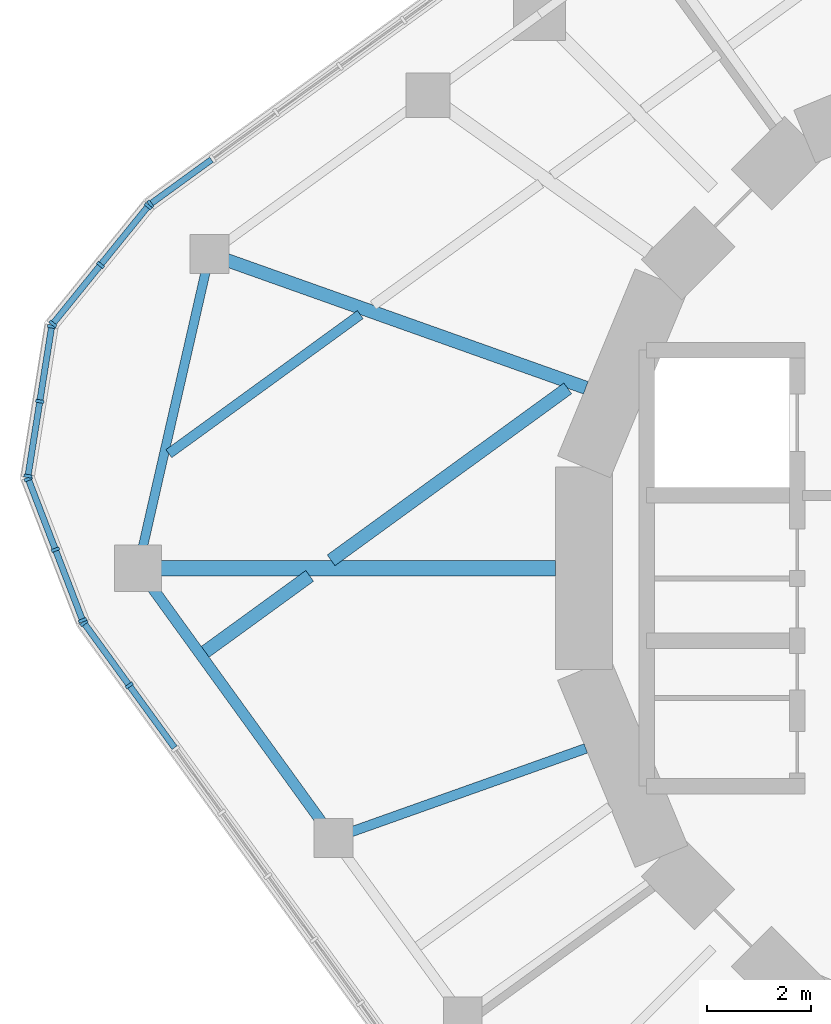
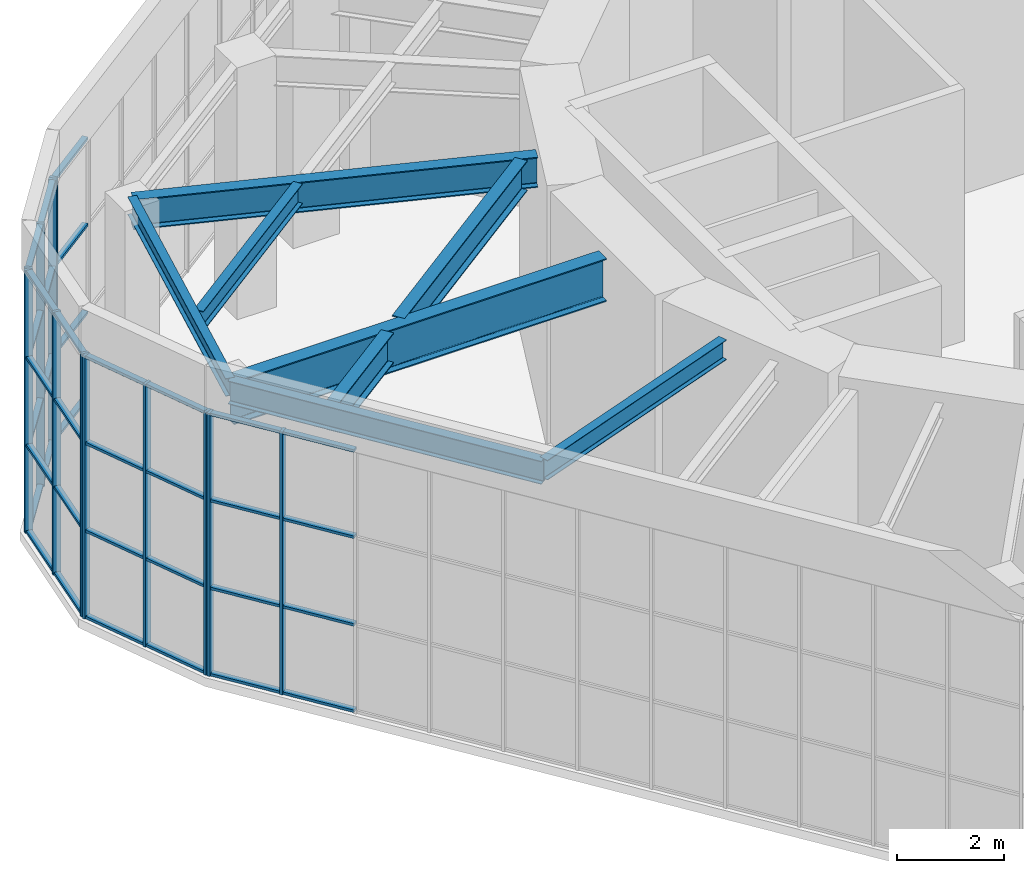
# One storey, part 5 of 17: 48 members, 8 beams, 5 elements without a shape of their own.
"""IFC4 building model written with IfcOpenShell, lengths in metres."""

from ifc_helpers import new_model, si_unit, direction, frame, origin, origin_2d, place, context, subcontext, project, spatial, rectangle, i_section, extrude, material, material_profile, profile_set, type_object, element, aggregate, save


model = new_model("IFC4")

# Units and contexts
model_context = context("Model", 3, precision=1e-05, world=origin(), true_north=direction((0.0, 1.0)))
body_context = subcontext(model_context, "Body", "Model", "MODEL_VIEW")
ifc_project = project(units=[si_unit("LENGTHUNIT", "METRE"), si_unit("AREAUNIT", "SQUARE_METRE"), si_unit("VOLUMEUNIT", "CUBIC_METRE"), si_unit("PLANEANGLEUNIT", "RADIAN"), si_unit("MASSUNIT", "GRAM", prefix="KILO")], contexts=[model_context])

# Site, building, storey
site_placement = place(None, origin())
site = spatial("IfcSite", under=ifc_project, at=site_placement, CompositionType="ELEMENT")
building_placement = place(site_placement, origin())
building = spatial("IfcBuilding", under=site, at=building_placement, Name="Nakasero Lantern House", CompositionType="ELEMENT")
storey_placement = place(building_placement, frame((0.0, 0.0, 304.39990234375)))
storey = spatial("IfcBuildingStorey", under=building, at=storey_placement, Name="L74", CompositionType="ELEMENT", Elevation=304.39990234375)

# Beams
ifc_material_1 = material(Name="Steel S355", Category="steel")
ifc_material_profile_1 = material_profile(ifc_material_1, i_section(OverallWidth=0.19140625, OverallDepth=0.4599609375, WebThickness=0.010009765625, FlangeThickness=0.01611328125, FilletRadius=0.01025390625, at=origin_2d()), Name="UB 457x191x82")
ifc_profile_set_1 = profile_set([ifc_material_profile_1], Name="Steel S355")
beam_type_1 = type_object("IfcBeamType", Name="Infill beam UB 457x191x82", PredefinedType="JOIST", material=ifc_profile_set_1)
beam_1_placement = place(storey_placement, frame((-17.805908203125, 2.205078125, 5.52001953125), z_axis=(0.809009310944, 0.587795827483, 0.0), x_axis=(-0.587795827483, 0.809009310944, 0.0)))
element("IfcBeam", 1, at=beam_1_placement, inside=storey, type_object=beam_type_1, Name="Infill beam ROOF 10.1", PredefinedType="JOIST", context=body_context, shape_type="SweptSolid", body=[
    extrude(i_section(OverallWidth=0.19140625, OverallDepth=0.4599609375, WebThickness=0.010009765625, FlangeThickness=0.01611328125, FilletRadius=0.01025390625, at=origin_2d()), origin(), (0.0, 0.0, 1.0), 4.55810546875),
])
ifc_material_2 = material(Name="Steel S355", Category="steel")
ifc_material_profile_2 = material_profile(ifc_material_2, i_section(OverallWidth=0.255859375, OverallDepth=0.69287109375, WebThickness=0.014404296875, FlangeThickness=0.023681640625, FilletRadius=0.01513671875, at=origin_2d()), Name="UB 686x254x170")
ifc_profile_set_2 = profile_set([ifc_material_profile_2], Name="Steel S355")
beam_type_2 = type_object("IfcBeamType", Name="Infill beam UB 686x254x170", PredefinedType="JOIST", material=ifc_profile_set_2)
beam_2_placement = place(storey_placement, frame((-17.105224609375, -1.612060546875, 5.403564453125), z_axis=(0.809011863271, 0.587792314586, 0.0), x_axis=(-0.587792314586, 0.809011863271, 0.0)))
element("IfcBeam", 2, at=beam_2_placement, inside=storey, type_object=beam_type_2, Name="Infill beam ROOF 09.1", PredefinedType="JOIST", context=body_context, shape_type="SweptSolid", body=[
    extrude(i_section(OverallWidth=0.255859375, OverallDepth=0.69287109375, WebThickness=0.014404296875, FlangeThickness=0.023681640625, FilletRadius=0.01513671875, at=origin_2d()), origin(), (0.0, 0.0, 1.0), 2.487548828125),
])
beam_3_placement = place(storey_placement, frame((-14.679931640625, 0.14990234375, 5.403564453125), z_axis=(0.809015104462, 0.587787853526, 0.0), x_axis=(-0.587787853526, 0.809015104462, 0.0)))
element("IfcBeam", 3, at=beam_3_placement, inside=storey, type_object=beam_type_2, Name="Infill beam ROOF 09.2", PredefinedType="JOIST", context=body_context, shape_type="SweptSolid", body=[
    extrude(i_section(OverallWidth=0.255859375, OverallDepth=0.69287109375, WebThickness=0.014404296875, FlangeThickness=0.023681640625, FilletRadius=0.01513671875, at=origin_2d()), origin(), (0.0, 0.0, 1.0), 5.635986328125),
])

# Curtain wall, member
ifc_material_3 = material(Name="Aluminium 6063-T6 and glass", Category="aluminium")
curtain_wall_type = type_object("IfcCurtainWallType", Name="Lantern glazing CW-4", PredefinedType="USERDEFINED", material=ifc_material_3)
curtain_wall_1_placement = place(storey_placement, origin())
curtain_wall_1 = element("IfcCurtainWall", 4, at=curtain_wall_1_placement, inside=storey, type_object=curtain_wall_type, Name="Curtain wall CW-4 L74", ObjectType="UNITISED CURTAIN WALL", PredefinedType="USERDEFINED")
ifc_material_4 = material(Name="Aluminium 6063-T6", Category="aluminium")
ifc_material_profile_3 = material_profile(ifc_material_4, rectangle(XDim=0.06005859375, YDim=0.159912109375, at=origin_2d()), Name="CW-4 mullion 60x160")
ifc_profile_set_3 = profile_set([ifc_material_profile_3], Name="Aluminium 6063-T6")
member_type_1 = type_object("IfcMemberType", Name="Mullion CW-4", PredefinedType="MULLION", material=ifc_profile_set_3)
member_1_placement = place(storey_placement, frame((-18.16162109375, 7.0146484375, 0.0), z_axis=(0.0, 0.0, 1.0), x_axis=(-0.809016994375, -0.587785252292, 0.0)))
member_1 = element("IfcMember", 5, at=member_1_placement, type_object=member_type_1, Name="CW-4 mullion 15", PredefinedType="MULLION", context=body_context, shape_type="SweptSolid", body=[
    extrude(rectangle(XDim=0.06005859375, YDim=0.159912109375, at=origin_2d()), origin(), (0.0, 0.0, 1.0), 6.0),
])

# Curtain wall, members
curtain_wall_2_placement = place(storey_placement, origin())
curtain_wall_2 = element("IfcCurtainWall", 6, at=curtain_wall_2_placement, inside=storey, type_object=curtain_wall_type, Name="Curtain wall CW-4 L74", ObjectType="UNITISED CURTAIN WALL", PredefinedType="USERDEFINED")
member_2_placement = place(storey_placement, frame((-18.204833984375, 6.9736328125, 0.0), z_axis=(0.0, 0.0, 1.0), x_axis=(-0.62932039105, -0.777145961457, 0.0)))
member_2 = element("IfcMember", 7, at=member_2_placement, type_object=member_type_1, Name="CW-4 mullion 1", PredefinedType="MULLION", context=body_context, shape_type="SweptSolid", body=[
    extrude(rectangle(XDim=0.06005859375, YDim=0.159912109375, at=origin_2d()), origin(), (0.0, 0.0, 1.0), 6.0),
])
member_3_placement = place(storey_placement, frame((-19.122314453125, 5.84033203125, 0.0), z_axis=(0.0, 0.0, 1.0), x_axis=(-0.62932039105, -0.777145961457, 0.0)))
member_3 = element("IfcMember", 8, at=member_3_placement, type_object=member_type_1, Name="CW-4 mullion 2", PredefinedType="MULLION", context=body_context, shape_type="SweptSolid", body=[
    extrude(rectangle(XDim=0.06005859375, YDim=0.159912109375, at=origin_2d()), origin(), (0.0, 0.0, 1.0), 6.0),
])
member_4_placement = place(storey_placement, frame((-20.0400390625, 4.70703125, 0.0), z_axis=(0.0, 0.0, 1.0), x_axis=(-0.62932039105, -0.777145961457, 0.0)))
member_4 = element("IfcMember", 9, at=member_4_placement, type_object=member_type_1, Name="CW-4 mullion 3", PredefinedType="MULLION", context=body_context, shape_type="SweptSolid", body=[
    extrude(rectangle(XDim=0.06005859375, YDim=0.159912109375, at=origin_2d()), origin(), (0.0, 0.0, 1.0), 6.0),
])

curtain_wall_3_placement = place(storey_placement, origin())
curtain_wall_3 = element("IfcCurtainWall", 10, at=curtain_wall_3_placement, inside=storey, type_object=curtain_wall_type, Name="Curtain wall CW-4 L74", ObjectType="UNITISED CURTAIN WALL", PredefinedType="USERDEFINED")
member_5_placement = place(storey_placement, frame((-20.063720703125, 4.654052734375, 0.0), z_axis=(0.0, 0.0, 1.0), x_axis=(-0.15643446504, -0.987688340595, 0.0)))
member_5 = element("IfcMember", 11, at=member_5_placement, type_object=member_type_1, Name="CW-4 mullion 1", PredefinedType="MULLION", context=body_context, shape_type="SweptSolid", body=[
    extrude(rectangle(XDim=0.06005859375, YDim=0.159912109375, at=origin_2d()), origin(), (0.0, 0.0, 1.0), 6.0),
])
member_6_placement = place(storey_placement, frame((-20.291748046875, 3.2138671875, 0.0), z_axis=(0.0, 0.0, 1.0), x_axis=(-0.15643446504, -0.987688340595, 0.0)))
member_6 = element("IfcMember", 12, at=member_6_placement, type_object=member_type_1, Name="CW-4 mullion 2", PredefinedType="MULLION", context=body_context, shape_type="SweptSolid", body=[
    extrude(rectangle(XDim=0.06005859375, YDim=0.159912109375, at=origin_2d()), origin(), (0.0, 0.0, 1.0), 6.0),
])
member_7_placement = place(storey_placement, frame((-20.52001953125, 1.773681640625, 0.0), z_axis=(0.0, 0.0, 1.0), x_axis=(-0.15643446504, -0.987688340595, 0.0)))
member_7 = element("IfcMember", 13, at=member_7_placement, type_object=member_type_1, Name="CW-4 mullion 3", PredefinedType="MULLION", context=body_context, shape_type="SweptSolid", body=[
    extrude(rectangle(XDim=0.06005859375, YDim=0.159912109375, at=origin_2d()), origin(), (0.0, 0.0, 1.0), 6.0),
])

curtain_wall_4_placement = place(storey_placement, origin())
curtain_wall_4 = element("IfcCurtainWall", 14, at=curtain_wall_4_placement, inside=storey, type_object=curtain_wall_type, Name="Curtain wall CW-4 L74", ObjectType="UNITISED CURTAIN WALL", PredefinedType="USERDEFINED")
member_8_placement = place(storey_placement, frame((-20.513916015625, 1.716064453125, 0.0), z_axis=(0.0, 0.0, 1.0), x_axis=(0.358367949545, -0.933580426497, 0.0)))
member_8 = element("IfcMember", 15, at=member_8_placement, type_object=member_type_1, Name="CW-4 mullion 1", PredefinedType="MULLION", context=body_context, shape_type="SweptSolid", body=[
    extrude(rectangle(XDim=0.06005859375, YDim=0.159912109375, at=origin_2d()), origin(), (0.0, 0.0, 1.0), 6.0),
])
member_9_placement = place(storey_placement, frame((-19.9912109375, 0.354736328125, 0.0), z_axis=(0.0, 0.0, 1.0), x_axis=(0.358367949545, -0.933580426497, 0.0)))
member_9 = element("IfcMember", 16, at=member_9_placement, type_object=member_type_1, Name="CW-4 mullion 2", PredefinedType="MULLION", context=body_context, shape_type="SweptSolid", body=[
    extrude(rectangle(XDim=0.06005859375, YDim=0.159912109375, at=origin_2d()), origin(), (0.0, 0.0, 1.0), 6.0),
])
member_10_placement = place(storey_placement, frame((-19.46875, -1.006591796875, 0.0), z_axis=(0.0, 0.0, 1.0), x_axis=(0.358367949545, -0.933580426497, 0.0)))
member_10 = element("IfcMember", 17, at=member_10_placement, type_object=member_type_1, Name="CW-4 mullion 3", PredefinedType="MULLION", context=body_context, shape_type="SweptSolid", body=[
    extrude(rectangle(XDim=0.06005859375, YDim=0.159912109375, at=origin_2d()), origin(), (0.0, 0.0, 1.0), 6.0),
])

curtain_wall_5_placement = place(storey_placement, origin())
curtain_wall_5 = element("IfcCurtainWall", 18, at=curtain_wall_5_placement, inside=storey, type_object=curtain_wall_type, Name="Curtain wall CW-4 L74", ObjectType="UNITISED CURTAIN WALL", PredefinedType="USERDEFINED")
member_11_placement = place(storey_placement, frame((-19.4404296875, -1.05908203125, 0.0), z_axis=(0.0, 0.0, 1.0), x_axis=(0.587785252292, -0.809016994375, 0.0)))
member_11 = element("IfcMember", 19, at=member_11_placement, type_object=member_type_1, Name="CW-4 mullion 1", PredefinedType="MULLION", context=body_context, shape_type="SweptSolid", body=[
    extrude(rectangle(XDim=0.06005859375, YDim=0.159912109375, at=origin_2d()), origin(), (0.0, 0.0, 1.0), 6.0),
])
member_12_placement = place(storey_placement, frame((-18.56787109375, -2.259765625, 0.0), z_axis=(0.0, 0.0, 1.0), x_axis=(0.587785252292, -0.809016994375, 0.0)))
member_12 = element("IfcMember", 20, at=member_12_placement, type_object=member_type_1, Name="CW-4 mullion 2", PredefinedType="MULLION", context=body_context, shape_type="SweptSolid", body=[
    extrude(rectangle(XDim=0.06005859375, YDim=0.159912109375, at=origin_2d()), origin(), (0.0, 0.0, 1.0), 6.0),
])

# Beams
ifc_material_5 = material(Name="Steel S355", Category="steel")
ifc_material_profile_4 = material_profile(ifc_material_5, i_section(OverallWidth=0.300048828125, OverallDepth=0.97998046875, WebThickness=0.0166015625, FlangeThickness=0.02587890625, FilletRadius=0.030029296875, at=origin_2d()), Name="UB 1016x305x249")
ifc_profile_set_4 = profile_set([ifc_material_profile_4], Name="Steel S355")
beam_type_3 = type_object("IfcBeamType", Name="Primary beam UB 1016x305x249, span 6 to 9 m", PredefinedType="BEAM", material=ifc_profile_set_4)
beam_4_placement = place(storey_placement, frame((-18.39990234375, 0.0, 5.260009765625), z_axis=(1.0, 0.0, 0.0), x_axis=(0.0, 1.0, 0.0)))
element("IfcBeam", 21, at=beam_4_placement, inside=storey, type_object=beam_type_3, Name="Primary beam ROOF B7-C15", PredefinedType="BEAM", context=body_context, shape_type="SweptSolid", body=[
    extrude(i_section(OverallWidth=0.300048828125, OverallDepth=0.97998046875, WebThickness=0.0166015625, FlangeThickness=0.02587890625, FilletRadius=0.030029296875, at=origin_2d()), origin(), (0.0, 0.0, 1.0), 8.0419921875),
])
ifc_material_6 = material(Name="Steel S355", Category="steel")
ifc_material_profile_5 = material_profile(ifc_material_6, i_section(OverallWidth=0.18994140625, OverallDepth=0.453369140625, WebThickness=0.008544921875, FlangeThickness=0.0126953125, FilletRadius=0.01025390625, at=origin_2d()), Name="UB 457x191x67")
ifc_profile_set_5 = profile_set([ifc_material_profile_5], Name="Steel S355")
beam_type_4 = type_object("IfcBeamType", Name="Primary beam UB 457x191x67, span to 6 m", PredefinedType="BEAM", material=ifc_profile_set_5)
beam_5_placement = place(storey_placement, frame((-14.636474609375, -5.2041015625, 5.5234375), z_axis=(0.942221324153, 0.3349910093, 0.0), x_axis=(-0.3349910093, 0.942221324153, 0.0)))
element("IfcBeam", 22, at=beam_5_placement, inside=storey, type_object=beam_type_4, Name="Primary beam ROOF B7-C16", PredefinedType="BEAM", context=body_context, shape_type="SweptSolid", body=[
    extrude(i_section(OverallWidth=0.18994140625, OverallDepth=0.453369140625, WebThickness=0.008544921875, FlangeThickness=0.0126953125, FilletRadius=0.01025390625, at=origin_2d()), origin(), (0.0, 0.0, 1.0), 5.162841796875),
])
ifc_material_7 = material(Name="Steel S355", Category="steel")
ifc_material_profile_6 = material_profile(ifc_material_7, i_section(OverallWidth=0.255859375, OverallDepth=0.69287109375, WebThickness=0.014404296875, FlangeThickness=0.023681640625, FilletRadius=0.01513671875, at=origin_2d()), Name="UB 686x254x170")
ifc_profile_set_6 = profile_set([ifc_material_profile_6], Name="Steel S355")
beam_type_5 = type_object("IfcBeamType", Name="Primary beam UB 686x254x170, span 6 to 9 m", PredefinedType="BEAM", material=ifc_profile_set_6)
beam_6_placement = place(storey_placement, frame((-17.02001953125, 6.051513671875, 5.403564453125), z_axis=(0.942222036561, -0.334989005521, 0.0), x_axis=(0.334989005521, 0.942222036561, 0.0)))
element("IfcBeam", 23, at=beam_6_placement, inside=storey, type_object=beam_type_5, Name="Primary beam ROOF B7-C14", PredefinedType="BEAM", context=body_context, shape_type="SweptSolid", body=[
    extrude(i_section(OverallWidth=0.255859375, OverallDepth=0.69287109375, WebThickness=0.014404296875, FlangeThickness=0.023681640625, FilletRadius=0.01513671875, at=origin_2d()), origin(), (0.0, 0.0, 1.0), 7.6923828125),
])
ifc_material_8 = material(Name="Steel S355", Category="steel")
ifc_material_profile_7 = material_profile(ifc_material_8, i_section(OverallWidth=0.177978515625, OverallDepth=0.406494140625, WebThickness=0.0078125, FlangeThickness=0.0126953125, FilletRadius=0.01025390625, at=origin_2d()), Name="UB 406x178x60")
ifc_profile_set_7 = profile_set([ifc_material_profile_7], Name="Steel S355")
beam_type_6 = type_object("IfcBeamType", Name="Ring beam UB 406x178x60", PredefinedType="BEAM", material=ifc_profile_set_7)
beam_7_placement = place(storey_placement, frame((-17.02001953125, 6.051513671875, 5.546875), z_axis=(-0.222316387753, -0.974974575944, 0.0), x_axis=(0.974974575944, -0.222316387753, 0.0)))
element("IfcBeam", 24, at=beam_7_placement, inside=storey, type_object=beam_type_6, Name="Ring beam ROOF B7-C14", PredefinedType="BEAM", context=body_context, shape_type="SweptSolid", body=[
    extrude(i_section(OverallWidth=0.177978515625, OverallDepth=0.406494140625, WebThickness=0.0078125, FlangeThickness=0.0126953125, FilletRadius=0.01025390625, at=origin_2d()), origin(), (0.0, 0.0, 1.0), 6.206787109375),
])
ifc_material_9 = material(Name="Steel S355", Category="steel")
ifc_material_profile_8 = material_profile(ifc_material_9, i_section(OverallWidth=0.208740234375, OverallDepth=0.5283203125, WebThickness=0.009521484375, FlangeThickness=0.01318359375, FilletRadius=0.0126953125, at=origin_2d()), Name="UB 533x210x82")
ifc_profile_set_8 = profile_set([ifc_material_profile_8], Name="Steel S355")
beam_type_7 = type_object("IfcBeamType", Name="Ring beam UB 533x210x82", PredefinedType="BEAM", material=ifc_profile_set_8)
beam_8_placement = place(storey_placement, frame((-18.39990234375, 0.0, 5.48583984375), z_axis=(0.58599287996, -0.810316200404, 0.0), x_axis=(0.810316200404, 0.58599287996, 0.0)))
element("IfcBeam", 25, at=beam_8_placement, inside=storey, type_object=beam_type_7, Name="Ring beam ROOF B7-C15", PredefinedType="BEAM", context=body_context, shape_type="SweptSolid", body=[
    extrude(i_section(OverallWidth=0.208740234375, OverallDepth=0.5283203125, WebThickness=0.009521484375, FlangeThickness=0.01318359375, FilletRadius=0.0126953125, at=origin_2d()), origin(), (0.0, 0.0, 1.0), 6.42236328125),
])

# Member
ifc_material_10 = material(Name="Aluminium 6063-T6", Category="aluminium")
ifc_material_profile_9 = material_profile(ifc_material_10, rectangle(XDim=0.06005859375, YDim=0.1201171875, at=origin_2d()), Name="CW-4 transom 60x120")
ifc_profile_set_9 = profile_set([ifc_material_profile_9], Name="Aluminium 6063-T6")
member_type_2 = type_object("IfcMemberType", Name="Transom CW-4", PredefinedType="USERDEFINED", material=ifc_profile_set_9)
member_13_placement = place(storey_placement, frame((-16.985107421875, 7.869384765625, 0.030029296875), z_axis=(-0.808980650343, -0.587835272309, 0.0), x_axis=(0.0, 0.0, 1.0)))
member_13 = element("IfcMember", 26, at=member_13_placement, type_object=member_type_2, Name="CW-4 transom 14.1", ObjectType="TRANSOM", PredefinedType="USERDEFINED", context=body_context, shape_type="SweptSolid", body=[
    extrude(rectangle(XDim=0.06005859375, YDim=0.1201171875, at=origin_2d()), origin(), (0.0, 0.0, 1.0), 1.424072265625),
])

member_14_placement = place(storey_placement, frame((-16.985107421875, 7.869384765625, 2.0), z_axis=(-0.808980650343, -0.587835272309, 0.0), x_axis=(0.0, 0.0, 1.0)))
member_14 = element("IfcMember", 27, at=member_14_placement, type_object=member_type_2, Name="CW-4 transom 14.2", ObjectType="TRANSOM", PredefinedType="USERDEFINED", context=body_context, shape_type="SweptSolid", body=[
    extrude(rectangle(XDim=0.06005859375, YDim=0.1201171875, at=origin_2d()), origin(), (0.0, 0.0, 1.0), 1.424072265625),
])

member_15_placement = place(storey_placement, frame((-16.985107421875, 7.869384765625, 4.0), z_axis=(-0.808980650343, -0.587835272309, 0.0), x_axis=(0.0, 0.0, 1.0)))
member_15 = element("IfcMember", 28, at=member_15_placement, type_object=member_type_2, Name="CW-4 transom 14.3", ObjectType="TRANSOM", PredefinedType="USERDEFINED", context=body_context, shape_type="SweptSolid", body=[
    extrude(rectangle(XDim=0.06005859375, YDim=0.1201171875, at=origin_2d()), origin(), (0.0, 0.0, 1.0), 1.424072265625),
])

member_16_placement = place(storey_placement, frame((-16.985107421875, 7.869384765625, 5.97021484375), z_axis=(-0.808980650343, -0.587835272309, 0.0), x_axis=(0.0, 0.0, 1.0)))
member_16 = element("IfcMember", 29, at=member_16_placement, type_object=member_type_2, Name="CW-4 transom 14.4", ObjectType="TRANSOM", PredefinedType="USERDEFINED", context=body_context, shape_type="SweptSolid", body=[
    extrude(rectangle(XDim=0.06005859375, YDim=0.1201171875, at=origin_2d()), origin(), (0.0, 0.0, 1.0), 1.424072265625),
])

aggregate(curtain_wall_1, [member_1, member_13, member_14, member_15, member_16])

member_17_placement = place(storey_placement, frame((-18.2236328125, 6.9501953125, 0.030029296875), z_axis=(-0.629369016646, -0.777106582707, 0.0), x_axis=(0.0, 0.0, 1.0)))
member_17 = element("IfcMember", 30, at=member_17_placement, type_object=member_type_2, Name="CW-4 transom 1.1", ObjectType="TRANSOM", PredefinedType="USERDEFINED", context=body_context, shape_type="SweptSolid", body=[
    extrude(rectangle(XDim=0.06005859375, YDim=0.1201171875, at=origin_2d()), origin(), (0.0, 0.0, 1.0), 1.39794921875),
])

member_18_placement = place(storey_placement, frame((-18.2236328125, 6.9501953125, 2.0), z_axis=(-0.629369016646, -0.777106582707, 0.0), x_axis=(0.0, 0.0, 1.0)))
member_18 = element("IfcMember", 31, at=member_18_placement, type_object=member_type_2, Name="CW-4 transom 1.2", ObjectType="TRANSOM", PredefinedType="USERDEFINED", context=body_context, shape_type="SweptSolid", body=[
    extrude(rectangle(XDim=0.06005859375, YDim=0.1201171875, at=origin_2d()), origin(), (0.0, 0.0, 1.0), 1.39794921875),
])

member_19_placement = place(storey_placement, frame((-18.2236328125, 6.9501953125, 4.0), z_axis=(-0.629369016646, -0.777106582707, 0.0), x_axis=(0.0, 0.0, 1.0)))
member_19 = element("IfcMember", 32, at=member_19_placement, type_object=member_type_2, Name="CW-4 transom 1.3", ObjectType="TRANSOM", PredefinedType="USERDEFINED", context=body_context, shape_type="SweptSolid", body=[
    extrude(rectangle(XDim=0.06005859375, YDim=0.1201171875, at=origin_2d()), origin(), (0.0, 0.0, 1.0), 1.39794921875),
])

member_20_placement = place(storey_placement, frame((-18.2236328125, 6.9501953125, 5.97021484375), z_axis=(-0.629369016646, -0.777106582707, 0.0), x_axis=(0.0, 0.0, 1.0)))
member_20 = element("IfcMember", 33, at=member_20_placement, type_object=member_type_2, Name="CW-4 transom 1.4", ObjectType="TRANSOM", PredefinedType="USERDEFINED", context=body_context, shape_type="SweptSolid", body=[
    extrude(rectangle(XDim=0.06005859375, YDim=0.1201171875, at=origin_2d()), origin(), (0.0, 0.0, 1.0), 1.39794921875),
])

member_21_placement = place(storey_placement, frame((-19.141357421875, 5.817138671875, 0.030029296875), z_axis=(-0.629283614868, -0.777175740781, 0.0), x_axis=(0.0, 0.0, 1.0)))
member_21 = element("IfcMember", 34, at=member_21_placement, type_object=member_type_2, Name="CW-4 transom 2.1", ObjectType="TRANSOM", PredefinedType="USERDEFINED", context=body_context, shape_type="SweptSolid", body=[
    extrude(rectangle(XDim=0.06005859375, YDim=0.1201171875, at=origin_2d()), origin(), (0.0, 0.0, 1.0), 1.398193359375),
])

member_22_placement = place(storey_placement, frame((-19.141357421875, 5.817138671875, 2.0), z_axis=(-0.629283614868, -0.777175740781, 0.0), x_axis=(0.0, 0.0, 1.0)))
member_22 = element("IfcMember", 35, at=member_22_placement, type_object=member_type_2, Name="CW-4 transom 2.2", ObjectType="TRANSOM", PredefinedType="USERDEFINED", context=body_context, shape_type="SweptSolid", body=[
    extrude(rectangle(XDim=0.06005859375, YDim=0.1201171875, at=origin_2d()), origin(), (0.0, 0.0, 1.0), 1.398193359375),
])

member_23_placement = place(storey_placement, frame((-19.141357421875, 5.817138671875, 4.0), z_axis=(-0.629283614868, -0.777175740781, 0.0), x_axis=(0.0, 0.0, 1.0)))
member_23 = element("IfcMember", 36, at=member_23_placement, type_object=member_type_2, Name="CW-4 transom 2.3", ObjectType="TRANSOM", PredefinedType="USERDEFINED", context=body_context, shape_type="SweptSolid", body=[
    extrude(rectangle(XDim=0.06005859375, YDim=0.1201171875, at=origin_2d()), origin(), (0.0, 0.0, 1.0), 1.398193359375),
])

member_24_placement = place(storey_placement, frame((-19.141357421875, 5.817138671875, 5.97021484375), z_axis=(-0.629283614868, -0.777175740781, 0.0), x_axis=(0.0, 0.0, 1.0)))
member_24 = element("IfcMember", 37, at=member_24_placement, type_object=member_type_2, Name="CW-4 transom 2.4", ObjectType="TRANSOM", PredefinedType="USERDEFINED", context=body_context, shape_type="SweptSolid", body=[
    extrude(rectangle(XDim=0.06005859375, YDim=0.1201171875, at=origin_2d()), origin(), (0.0, 0.0, 1.0), 1.398193359375),
])

aggregate(curtain_wall_2, [member_2, member_3, member_4, member_17, member_18, member_19, member_20, member_21, member_22, member_23, member_24])

member_25_placement = place(storey_placement, frame((-20.068359375, 4.62451171875, 0.030029296875), z_axis=(-0.156464720495, -0.987683548127, 0.0), x_axis=(0.0, 0.0, 1.0)))
member_25 = element("IfcMember", 38, at=member_25_placement, type_object=member_type_2, Name="CW-4 transom 1.1", ObjectType="TRANSOM", PredefinedType="USERDEFINED", context=body_context, shape_type="SweptSolid", body=[
    extrude(rectangle(XDim=0.06005859375, YDim=0.1201171875, at=origin_2d()), origin(), (0.0, 0.0, 1.0), 1.398193359375),
])

member_26_placement = place(storey_placement, frame((-20.068359375, 4.62451171875, 2.0), z_axis=(-0.156464720495, -0.987683548127, 0.0), x_axis=(0.0, 0.0, 1.0)))
member_26 = element("IfcMember", 39, at=member_26_placement, type_object=member_type_2, Name="CW-4 transom 1.2", ObjectType="TRANSOM", PredefinedType="USERDEFINED", context=body_context, shape_type="SweptSolid", body=[
    extrude(rectangle(XDim=0.06005859375, YDim=0.1201171875, at=origin_2d()), origin(), (0.0, 0.0, 1.0), 1.398193359375),
])

member_27_placement = place(storey_placement, frame((-20.068359375, 4.62451171875, 4.0), z_axis=(-0.156464720495, -0.987683548127, 0.0), x_axis=(0.0, 0.0, 1.0)))
member_27 = element("IfcMember", 40, at=member_27_placement, type_object=member_type_2, Name="CW-4 transom 1.3", ObjectType="TRANSOM", PredefinedType="USERDEFINED", context=body_context, shape_type="SweptSolid", body=[
    extrude(rectangle(XDim=0.06005859375, YDim=0.1201171875, at=origin_2d()), origin(), (0.0, 0.0, 1.0), 1.398193359375),
])

member_28_placement = place(storey_placement, frame((-20.068359375, 4.62451171875, 5.97021484375), z_axis=(-0.156464720495, -0.987683548127, 0.0), x_axis=(0.0, 0.0, 1.0)))
member_28 = element("IfcMember", 41, at=member_28_placement, type_object=member_type_2, Name="CW-4 transom 1.4", ObjectType="TRANSOM", PredefinedType="USERDEFINED", context=body_context, shape_type="SweptSolid", body=[
    extrude(rectangle(XDim=0.06005859375, YDim=0.1201171875, at=origin_2d()), origin(), (0.0, 0.0, 1.0), 1.398193359375),
])

member_29_placement = place(storey_placement, frame((-20.29638671875, 3.184326171875, 0.030029296875), z_axis=(-0.156437738833, -0.987687822072, 0.0), x_axis=(0.0, 0.0, 1.0)))
member_29 = element("IfcMember", 42, at=member_29_placement, type_object=member_type_2, Name="CW-4 transom 2.1", ObjectType="TRANSOM", PredefinedType="USERDEFINED", context=body_context, shape_type="SweptSolid", body=[
    extrude(rectangle(XDim=0.06005859375, YDim=0.1201171875, at=origin_2d()), origin(), (0.0, 0.0, 1.0), 1.3984375),
])

member_30_placement = place(storey_placement, frame((-20.29638671875, 3.184326171875, 2.0), z_axis=(-0.156437738833, -0.987687822072, 0.0), x_axis=(0.0, 0.0, 1.0)))
member_30 = element("IfcMember", 43, at=member_30_placement, type_object=member_type_2, Name="CW-4 transom 2.2", ObjectType="TRANSOM", PredefinedType="USERDEFINED", context=body_context, shape_type="SweptSolid", body=[
    extrude(rectangle(XDim=0.06005859375, YDim=0.1201171875, at=origin_2d()), origin(), (0.0, 0.0, 1.0), 1.3984375),
])

member_31_placement = place(storey_placement, frame((-20.29638671875, 3.184326171875, 4.0), z_axis=(-0.156437738833, -0.987687822072, 0.0), x_axis=(0.0, 0.0, 1.0)))
member_31 = element("IfcMember", 44, at=member_31_placement, type_object=member_type_2, Name="CW-4 transom 2.3", ObjectType="TRANSOM", PredefinedType="USERDEFINED", context=body_context, shape_type="SweptSolid", body=[
    extrude(rectangle(XDim=0.06005859375, YDim=0.1201171875, at=origin_2d()), origin(), (0.0, 0.0, 1.0), 1.3984375),
])

member_32_placement = place(storey_placement, frame((-20.29638671875, 3.184326171875, 5.97021484375), z_axis=(-0.156437738833, -0.987687822072, 0.0), x_axis=(0.0, 0.0, 1.0)))
member_32 = element("IfcMember", 45, at=member_32_placement, type_object=member_type_2, Name="CW-4 transom 2.4", ObjectType="TRANSOM", PredefinedType="USERDEFINED", context=body_context, shape_type="SweptSolid", body=[
    extrude(rectangle(XDim=0.06005859375, YDim=0.1201171875, at=origin_2d()), origin(), (0.0, 0.0, 1.0), 1.3984375),
])

aggregate(curtain_wall_3, [member_5, member_6, member_7, member_25, member_26, member_27, member_28, member_29, member_30, member_31, member_32])

member_33_placement = place(storey_placement, frame((-20.503173828125, 1.68798828125, 0.030029296875), z_axis=(0.358440839092, -0.933552443557, 0.0), x_axis=(0.0, 0.0, 1.0)))
member_33 = element("IfcMember", 46, at=member_33_placement, type_object=member_type_2, Name="CW-4 transom 1.1", ObjectType="TRANSOM", PredefinedType="USERDEFINED", context=body_context, shape_type="SweptSolid", body=[
    extrude(rectangle(XDim=0.06005859375, YDim=0.1201171875, at=origin_2d()), origin(), (0.0, 0.0, 1.0), 1.3984375),
])

member_34_placement = place(storey_placement, frame((-20.503173828125, 1.68798828125, 2.0), z_axis=(0.358440839092, -0.933552443557, 0.0), x_axis=(0.0, 0.0, 1.0)))
member_34 = element("IfcMember", 47, at=member_34_placement, type_object=member_type_2, Name="CW-4 transom 1.2", ObjectType="TRANSOM", PredefinedType="USERDEFINED", context=body_context, shape_type="SweptSolid", body=[
    extrude(rectangle(XDim=0.06005859375, YDim=0.1201171875, at=origin_2d()), origin(), (0.0, 0.0, 1.0), 1.3984375),
])

member_35_placement = place(storey_placement, frame((-20.503173828125, 1.68798828125, 4.0), z_axis=(0.358440839092, -0.933552443557, 0.0), x_axis=(0.0, 0.0, 1.0)))
member_35 = element("IfcMember", 48, at=member_35_placement, type_object=member_type_2, Name="CW-4 transom 1.3", ObjectType="TRANSOM", PredefinedType="USERDEFINED", context=body_context, shape_type="SweptSolid", body=[
    extrude(rectangle(XDim=0.06005859375, YDim=0.1201171875, at=origin_2d()), origin(), (0.0, 0.0, 1.0), 1.3984375),
])

member_36_placement = place(storey_placement, frame((-20.503173828125, 1.68798828125, 5.97021484375), z_axis=(0.358440839092, -0.933552443557, 0.0), x_axis=(0.0, 0.0, 1.0)))
member_36 = element("IfcMember", 49, at=member_36_placement, type_object=member_type_2, Name="CW-4 transom 1.4", ObjectType="TRANSOM", PredefinedType="USERDEFINED", context=body_context, shape_type="SweptSolid", body=[
    extrude(rectangle(XDim=0.06005859375, YDim=0.1201171875, at=origin_2d()), origin(), (0.0, 0.0, 1.0), 1.3984375),
])

member_37_placement = place(storey_placement, frame((-19.98046875, 0.32666015625, 0.030029296875), z_axis=(0.35828866289, -0.93361085793, 0.0), x_axis=(0.0, 0.0, 1.0)))
member_37 = element("IfcMember", 50, at=member_37_placement, type_object=member_type_2, Name="CW-4 transom 2.1", ObjectType="TRANSOM", PredefinedType="USERDEFINED", context=body_context, shape_type="SweptSolid", body=[
    extrude(rectangle(XDim=0.06005859375, YDim=0.1201171875, at=origin_2d()), origin(), (0.0, 0.0, 1.0), 1.398193359375),
])

member_38_placement = place(storey_placement, frame((-19.98046875, 0.32666015625, 2.0), z_axis=(0.35828866289, -0.93361085793, 0.0), x_axis=(0.0, 0.0, 1.0)))
member_38 = element("IfcMember", 51, at=member_38_placement, type_object=member_type_2, Name="CW-4 transom 2.2", ObjectType="TRANSOM", PredefinedType="USERDEFINED", context=body_context, shape_type="SweptSolid", body=[
    extrude(rectangle(XDim=0.06005859375, YDim=0.1201171875, at=origin_2d()), origin(), (0.0, 0.0, 1.0), 1.398193359375),
])

member_39_placement = place(storey_placement, frame((-19.98046875, 0.32666015625, 4.0), z_axis=(0.35828866289, -0.93361085793, 0.0), x_axis=(0.0, 0.0, 1.0)))
member_39 = element("IfcMember", 52, at=member_39_placement, type_object=member_type_2, Name="CW-4 transom 2.3", ObjectType="TRANSOM", PredefinedType="USERDEFINED", context=body_context, shape_type="SweptSolid", body=[
    extrude(rectangle(XDim=0.06005859375, YDim=0.1201171875, at=origin_2d()), origin(), (0.0, 0.0, 1.0), 1.398193359375),
])

member_40_placement = place(storey_placement, frame((-19.98046875, 0.32666015625, 5.97021484375), z_axis=(0.35828866289, -0.93361085793, 0.0), x_axis=(0.0, 0.0, 1.0)))
member_40 = element("IfcMember", 53, at=member_40_placement, type_object=member_type_2, Name="CW-4 transom 2.4", ObjectType="TRANSOM", PredefinedType="USERDEFINED", context=body_context, shape_type="SweptSolid", body=[
    extrude(rectangle(XDim=0.06005859375, YDim=0.1201171875, at=origin_2d()), origin(), (0.0, 0.0, 1.0), 1.398193359375),
])

aggregate(curtain_wall_4, [member_8, member_9, member_10, member_33, member_34, member_35, member_36, member_37, member_38, member_39, member_40])

member_41_placement = place(storey_placement, frame((-19.422607421875, -1.083251953125, 0.030029296875), z_axis=(0.587753757296, -0.809039875893, 0.0), x_axis=(0.0, 0.0, 1.0)))
member_41 = element("IfcMember", 54, at=member_41_placement, type_object=member_type_2, Name="CW-4 transom 1.1", ObjectType="TRANSOM", PredefinedType="USERDEFINED", context=body_context, shape_type="SweptSolid", body=[
    extrude(rectangle(XDim=0.06005859375, YDim=0.1201171875, at=origin_2d()), origin(), (0.0, 0.0, 1.0), 1.42431640625),
])

member_42_placement = place(storey_placement, frame((-19.422607421875, -1.083251953125, 2.0), z_axis=(0.587753757296, -0.809039875893, 0.0), x_axis=(0.0, 0.0, 1.0)))
member_42 = element("IfcMember", 55, at=member_42_placement, type_object=member_type_2, Name="CW-4 transom 1.2", ObjectType="TRANSOM", PredefinedType="USERDEFINED", context=body_context, shape_type="SweptSolid", body=[
    extrude(rectangle(XDim=0.06005859375, YDim=0.1201171875, at=origin_2d()), origin(), (0.0, 0.0, 1.0), 1.42431640625),
])

member_43_placement = place(storey_placement, frame((-19.422607421875, -1.083251953125, 4.0), z_axis=(0.587753757296, -0.809039875893, 0.0), x_axis=(0.0, 0.0, 1.0)))
member_43 = element("IfcMember", 56, at=member_43_placement, type_object=member_type_2, Name="CW-4 transom 1.3", ObjectType="TRANSOM", PredefinedType="USERDEFINED", context=body_context, shape_type="SweptSolid", body=[
    extrude(rectangle(XDim=0.06005859375, YDim=0.1201171875, at=origin_2d()), origin(), (0.0, 0.0, 1.0), 1.42431640625),
])

member_44_placement = place(storey_placement, frame((-19.422607421875, -1.083251953125, 5.97021484375), z_axis=(0.587753757296, -0.809039875893, 0.0), x_axis=(0.0, 0.0, 1.0)))
member_44 = element("IfcMember", 57, at=member_44_placement, type_object=member_type_2, Name="CW-4 transom 1.4", ObjectType="TRANSOM", PredefinedType="USERDEFINED", context=body_context, shape_type="SweptSolid", body=[
    extrude(rectangle(XDim=0.06005859375, YDim=0.1201171875, at=origin_2d()), origin(), (0.0, 0.0, 1.0), 1.42431640625),
])

member_45_placement = place(storey_placement, frame((-18.55029296875, -2.2841796875, 0.030029296875), z_axis=(0.587762348068, -0.809033634773, 0.0), x_axis=(0.0, 0.0, 1.0)))
member_45 = element("IfcMember", 58, at=member_45_placement, type_object=member_type_2, Name="CW-4 transom 2.1", ObjectType="TRANSOM", PredefinedType="USERDEFINED", context=body_context, shape_type="SweptSolid", body=[
    extrude(rectangle(XDim=0.06005859375, YDim=0.1201171875, at=origin_2d()), origin(), (0.0, 0.0, 1.0), 1.4541015625),
])

member_46_placement = place(storey_placement, frame((-18.55029296875, -2.2841796875, 2.0), z_axis=(0.587762348068, -0.809033634773, 0.0), x_axis=(0.0, 0.0, 1.0)))
member_46 = element("IfcMember", 59, at=member_46_placement, type_object=member_type_2, Name="CW-4 transom 2.2", ObjectType="TRANSOM", PredefinedType="USERDEFINED", context=body_context, shape_type="SweptSolid", body=[
    extrude(rectangle(XDim=0.06005859375, YDim=0.1201171875, at=origin_2d()), origin(), (0.0, 0.0, 1.0), 1.4541015625),
])

member_47_placement = place(storey_placement, frame((-18.55029296875, -2.2841796875, 4.0), z_axis=(0.587762348068, -0.809033634773, 0.0), x_axis=(0.0, 0.0, 1.0)))
member_47 = element("IfcMember", 60, at=member_47_placement, type_object=member_type_2, Name="CW-4 transom 2.3", ObjectType="TRANSOM", PredefinedType="USERDEFINED", context=body_context, shape_type="SweptSolid", body=[
    extrude(rectangle(XDim=0.06005859375, YDim=0.1201171875, at=origin_2d()), origin(), (0.0, 0.0, 1.0), 1.4541015625),
])

member_48_placement = place(storey_placement, frame((-18.55029296875, -2.2841796875, 5.97021484375), z_axis=(0.587762348068, -0.809033634773, 0.0), x_axis=(0.0, 0.0, 1.0)))
member_48 = element("IfcMember", 61, at=member_48_placement, type_object=member_type_2, Name="CW-4 transom 2.4", ObjectType="TRANSOM", PredefinedType="USERDEFINED", context=body_context, shape_type="SweptSolid", body=[
    extrude(rectangle(XDim=0.06005859375, YDim=0.1201171875, at=origin_2d()), origin(), (0.0, 0.0, 1.0), 1.4541015625),
])

aggregate(curtain_wall_5, [member_11, member_12, member_41, member_42, member_43, member_44, member_45, member_46, member_47, member_48])

save(model, "model.ifc")
